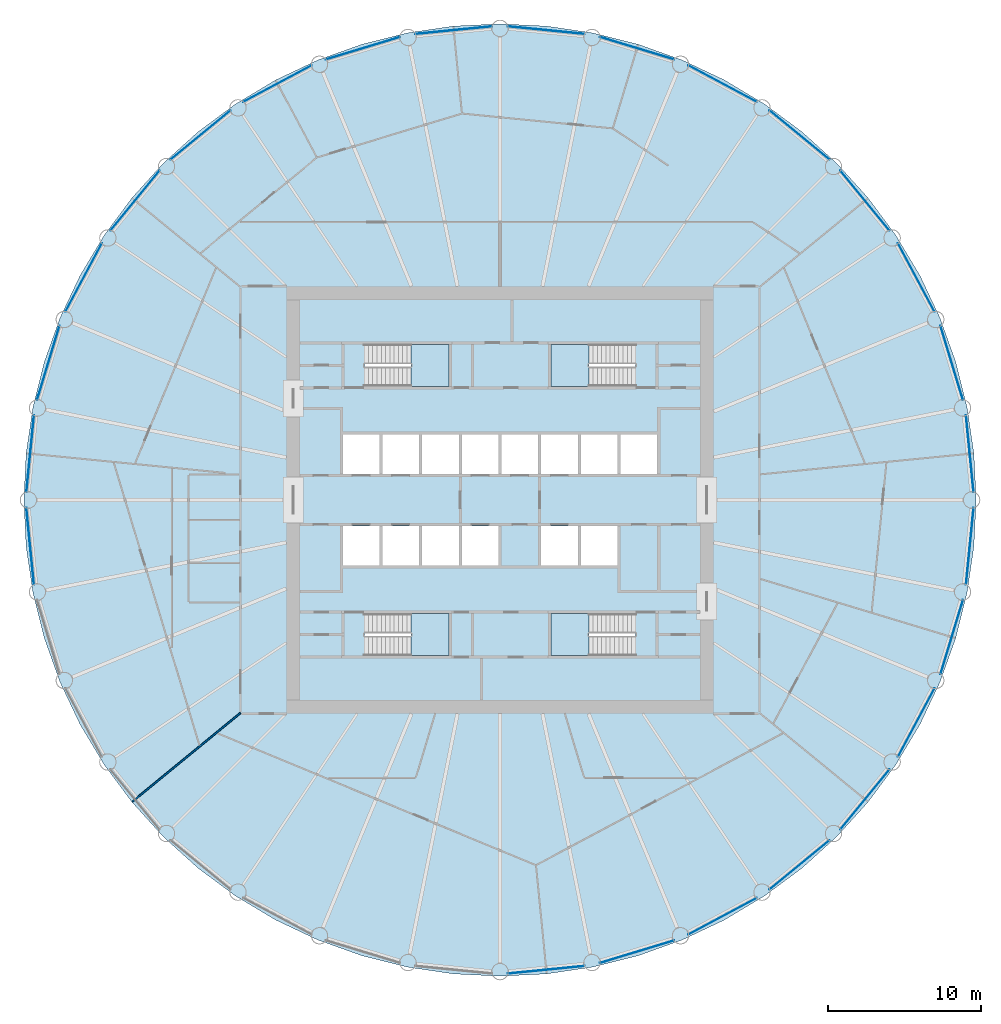
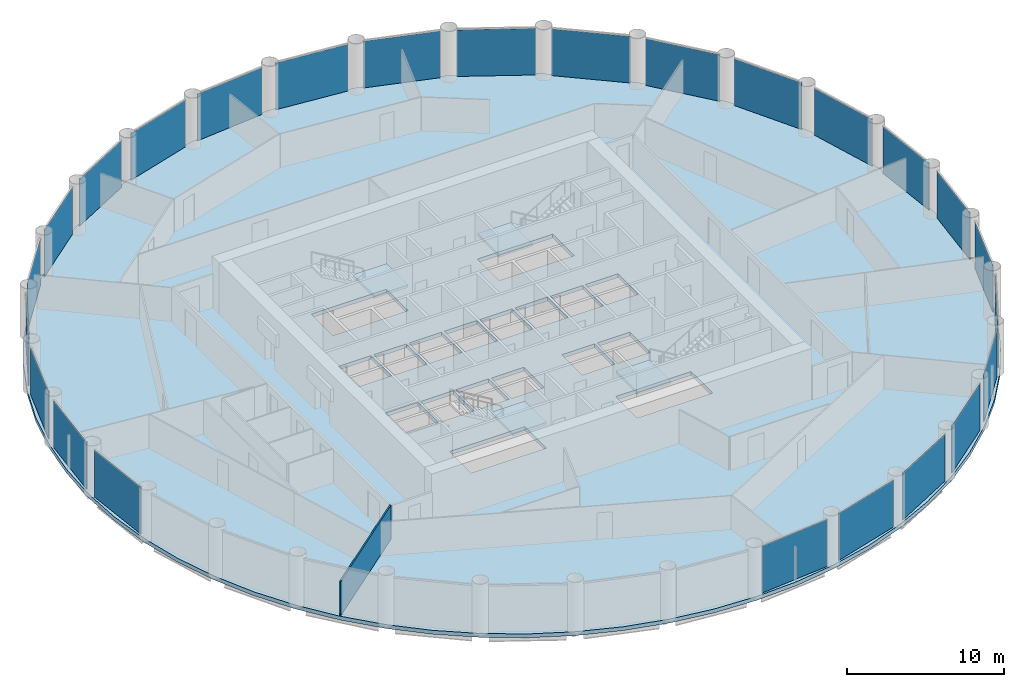
# One storey, part 3 of 9: 25 plates, 5 slabs, 1 wall, 29 elements without a shape of their own.
"""IFC4 building model written with IfcOpenShell, lengths in metres."""

from ifc_helpers import new_model, si_unit, direction, frame, frame_2d, origin, origin_2d, place, context, subcontext, project, spatial, polyline, rectangle, outline, extrude, material, layer, layer_set, type_object, element, aggregate, save


model = new_model("IFC4")

# Units and contexts
model_context = context("Model", 3, precision=1e-05, world=origin(), true_north=direction((0.0, 1.0)))
body_context = subcontext(model_context, "Body", "Model", "MODEL_VIEW")
ifc_project = project(units=[si_unit("LENGTHUNIT", "METRE"), si_unit("AREAUNIT", "SQUARE_METRE"), si_unit("VOLUMEUNIT", "CUBIC_METRE"), si_unit("PLANEANGLEUNIT", "RADIAN"), si_unit("MASSUNIT", "GRAM", prefix="KILO")], contexts=[model_context])

# Site, building, storey
site_placement = place(None, origin())
site = spatial("IfcSite", under=ifc_project, at=site_placement, CompositionType="ELEMENT")
building_placement = place(site_placement, origin())
building = spatial("IfcBuilding", under=site, at=building_placement, Name="Corvane Civic Tower", CompositionType="ELEMENT")
storey_placement = place(building_placement, frame((0.0, 0.0, 192.0)))
storey = spatial("IfcBuildingStorey", under=building, at=storey_placement, Name="L45", CompositionType="ELEMENT", Elevation=192.0)

# Slab
ifc_material_1 = material(Name="Concrete C40/50", Category="concrete")
ifc_layer_1 = layer(ifc_material_1, 0.300048828125)
ifc_layer_set_1 = layer_set([ifc_layer_1], Name="Concrete C40/50")
slab_type_1 = type_object("IfcSlabType", Name="FLOOR SLAB 300", PredefinedType="FLOOR", material=ifc_layer_set_1)
slab_1_placement = place(storey_placement, frame((0.0, 0.0, -0.300048828125)))
element("IfcSlab", 1, at=slab_1_placement, inside=storey, type_object=slab_type_1, Name="SLB-L45", PredefinedType="FLOOR", context=body_context, shape_type="SweptSolid", body=[
    extrude(outline(polyline([(0.0, 31.199951171875), (-3.05810546875, 31.0498046875), (-6.0869140625, 30.6005859375), (-9.056884765625, 29.8564453125), (-11.939697265625, 28.824951171875), (-14.70751953125, 27.515869140625), (-17.333740234375, 25.94189453125), (-19.79296875, 24.117919921875), (-22.061767578125, 22.061767578125), (-24.117919921875, 19.79296875), (-25.94189453125, 17.333740234375), (-27.515869140625, 14.70751953125), (-28.824951171875, 11.939697265625), (-29.8564453125, 9.056884765625), (-30.6005859375, 6.0869140625), (-31.0498046875, 3.05810546875), (-31.199951171875, 0.0), (-31.0498046875, -3.05810546875), (-30.6005859375, -6.0869140625), (-29.8564453125, -9.056884765625), (-28.824951171875, -11.939697265625), (-27.515869140625, -14.70751953125), (-25.94189453125, -17.333740234375), (-24.117919921875, -19.79296875), (-22.061767578125, -22.061767578125), (-19.79296875, -24.117919921875), (-17.333740234375, -25.94189453125), (-14.70751953125, -27.515869140625), (-11.939697265625, -28.824951171875), (-9.056884765625, -29.8564453125), (-6.0869140625, -30.6005859375), (-3.05810546875, -31.0498046875), (0.0, -31.199951171875), (3.05810546875, -31.0498046875), (6.0869140625, -30.6005859375), (9.056884765625, -29.8564453125), (11.939697265625, -28.824951171875), (14.70751953125, -27.515869140625), (17.333740234375, -25.94189453125), (19.79296875, -24.117919921875), (22.061767578125, -22.061767578125), (24.117919921875, -19.79296875), (25.94189453125, -17.333740234375), (27.515869140625, -14.70751953125), (28.824951171875, -11.939697265625), (29.8564453125, -9.056884765625), (30.6005859375, -6.0869140625), (31.0498046875, -3.05810546875), (31.199951171875, 0.0), (31.0498046875, 3.05810546875), (30.6005859375, 6.0869140625), (29.8564453125, 9.056884765625), (28.824951171875, 11.939697265625), (27.515869140625, 14.70751953125), (25.94189453125, 17.333740234375), (24.117919921875, 19.79296875), (22.061767578125, 22.061767578125), (19.79296875, 24.117919921875), (17.333740234375, 25.94189453125), (14.70751953125, 27.515869140625), (11.939697265625, 28.824951171875), (9.056884765625, 29.8564453125), (6.0869140625, 30.6005859375), (3.05810546875, 31.0498046875), (0.0, 31.199951171875)]), holes=[polyline([(-7.89990234375, 1.699951171875), (-10.300048828125, 1.699951171875), (-10.300048828125, 4.300048828125), (-7.89990234375, 4.300048828125), (-7.89990234375, 1.699951171875)]), polyline([(-7.699951171875, 4.300048828125), (-5.300048828125, 4.300048828125), (-5.300048828125, 1.699951171875), (-7.699951171875, 1.699951171875), (-7.699951171875, 4.300048828125)]), polyline([(-5.10009765625, 4.300048828125), (-2.699951171875, 4.300048828125), (-2.699951171875, 1.699951171875), (-5.10009765625, 1.699951171875), (-5.10009765625, 4.300048828125)]), polyline([(-0.10009765625, 4.300048828125), (-0.10009765625, 1.699951171875), (-2.5, 1.699951171875), (-2.5, 4.300048828125), (-0.10009765625, 4.300048828125)]), polyline([(2.5, 4.300048828125), (2.5, 1.699951171875), (0.10009765625, 1.699951171875), (0.10009765625, 4.300048828125), (2.5, 4.300048828125)]), polyline([(2.699951171875, 4.300048828125), (5.10009765625, 4.300048828125), (5.10009765625, 1.699951171875), (2.699951171875, 1.699951171875), (2.699951171875, 4.300048828125)]), polyline([(5.300048828125, 4.300048828125), (7.699951171875, 4.300048828125), (7.699951171875, 1.699951171875), (5.300048828125, 1.699951171875), (5.300048828125, 4.300048828125)]), polyline([(7.89990234375, 4.300048828125), (10.300048828125, 4.300048828125), (10.300048828125, 1.699951171875), (7.89990234375, 1.699951171875), (7.89990234375, 4.300048828125)]), polyline([(-7.89990234375, -1.699951171875), (-7.89990234375, -4.300048828125), (-10.300048828125, -4.300048828125), (-10.300048828125, -1.699951171875), (-7.89990234375, -1.699951171875)]), polyline([(-5.300048828125, -1.699951171875), (-5.300048828125, -4.300048828125), (-7.699951171875, -4.300048828125), (-7.699951171875, -1.699951171875), (-5.300048828125, -1.699951171875)]), polyline([(-2.699951171875, -1.699951171875), (-2.699951171875, -4.300048828125), (-5.10009765625, -4.300048828125), (-5.10009765625, -1.699951171875), (-2.699951171875, -1.699951171875)]), polyline([(-2.5, -4.300048828125), (-2.5, -1.699951171875), (-0.10009765625, -1.699951171875), (-0.10009765625, -4.300048828125), (-2.5, -4.300048828125)]), polyline([(2.699951171875, -1.699951171875), (5.10009765625, -1.699951171875), (5.10009765625, -4.300048828125), (2.699951171875, -4.300048828125), (2.699951171875, -1.699951171875)]), polyline([(7.699951171875, -1.699951171875), (7.699951171875, -4.300048828125), (5.300048828125, -4.300048828125), (5.300048828125, -1.699951171875), (7.699951171875, -1.699951171875)]), polyline([(8.889892578125, 10.199951171875), (8.889892578125, 7.449951171875), (3.35009765625, 7.449951171875), (3.35009765625, 10.199951171875), (8.889892578125, 10.199951171875)]), polyline([(-8.889892578125, 7.449951171875), (-8.889892578125, 10.199951171875), (-3.35009765625, 10.199951171875), (-3.35009765625, 7.449951171875), (-8.889892578125, 7.449951171875)]), polyline([(8.889892578125, -7.449951171875), (8.889892578125, -10.199951171875), (3.35009765625, -10.199951171875), (3.35009765625, -7.449951171875), (8.889892578125, -7.449951171875)]), polyline([(-8.889892578125, -10.199951171875), (-8.889892578125, -7.449951171875), (-3.35009765625, -7.449951171875), (-3.35009765625, -10.199951171875), (-8.889892578125, -10.199951171875)])]), origin(), (0.0, 0.0, 1.0), 0.300048828125),
])

# Stair, slab
ifc_material_2 = material(Name="Concrete C40/50", Category="concrete")
stair_type = type_object("IfcStairType", Name="ST-STAIR-HALFTURN", PredefinedType="HALF_TURN_STAIR", material=ifc_material_2)
stair_1_placement = place(storey_placement, origin())
stair_1 = element("IfcStair", 2, at=stair_1_placement, inside=storey, type_object=stair_type, Name="L45 Exit stair ST1", PredefinedType="HALF_TURN_STAIR")
ifc_material_3 = material(Name="Concrete C40/50", Category="concrete")
ifc_layer_2 = layer(ifc_material_3, 0.199951171875)
ifc_layer_set_2 = layer_set([ifc_layer_2], Name="Concrete C40/50")
slab_type_2 = type_object("IfcSlabType", Name="ST-LANDING-RC", PredefinedType="LANDING", material=ifc_layer_set_2)
slab_2_placement = place(storey_placement, frame((0.0, 0.0, 1.800048828125)))
slab_2 = element("IfcSlab", 3, at=slab_2_placement, type_object=slab_type_2, Name="ST1 landing 1", PredefinedType="LANDING", context=body_context, shape_type="SweptSolid", body=[
    extrude(outline(polyline([(5.820068359375, 10.199951171875), (3.35009765625, 10.199951171875), (3.35009765625, 7.449951171875), (5.820068359375, 7.449951171875), (5.820068359375, 10.199951171875)])), origin(), (0.0, 0.0, 1.0), 0.199951171875),
])
aggregate(stair_1, [slab_2])

stair_2_placement = place(storey_placement, origin())
stair_2 = element("IfcStair", 4, at=stair_2_placement, inside=storey, type_object=stair_type, Name="L45 Exit stair ST2", PredefinedType="HALF_TURN_STAIR")
slab_3_placement = place(storey_placement, frame((0.0, 0.0, 1.800048828125)))
slab_3 = element("IfcSlab", 5, at=slab_3_placement, type_object=slab_type_2, Name="ST2 landing 1", PredefinedType="LANDING", context=body_context, shape_type="SweptSolid", body=[
    extrude(outline(polyline([(5.820068359375, -7.449951171875), (3.35009765625, -7.449951171875), (3.35009765625, -10.199951171875), (5.820068359375, -10.199951171875), (5.820068359375, -7.449951171875)])), origin(), (0.0, 0.0, 1.0), 0.199951171875),
])
aggregate(stair_2, [slab_3])

stair_3_placement = place(storey_placement, origin())
stair_3 = element("IfcStair", 6, at=stair_3_placement, inside=storey, type_object=stair_type, Name="L45 Exit stair ST3", PredefinedType="HALF_TURN_STAIR")
slab_4_placement = place(storey_placement, frame((0.0, 0.0, 1.800048828125)))
slab_4 = element("IfcSlab", 7, at=slab_4_placement, type_object=slab_type_2, Name="ST3 landing 1", PredefinedType="LANDING", context=body_context, shape_type="SweptSolid", body=[
    extrude(outline(polyline([(-5.820068359375, -10.199951171875), (-3.35009765625, -10.199951171875), (-3.35009765625, -7.449951171875), (-5.820068359375, -7.449951171875), (-5.820068359375, -10.199951171875)])), origin(), (0.0, 0.0, 1.0), 0.199951171875),
])
aggregate(stair_3, [slab_4])

stair_4_placement = place(storey_placement, origin())
stair_4 = element("IfcStair", 8, at=stair_4_placement, inside=storey, type_object=stair_type, Name="L45 Exit stair ST4", PredefinedType="HALF_TURN_STAIR")
slab_5_placement = place(storey_placement, frame((0.0, 0.0, 1.800048828125)))
slab_5 = element("IfcSlab", 9, at=slab_5_placement, type_object=slab_type_2, Name="ST4 landing 1", PredefinedType="LANDING", context=body_context, shape_type="SweptSolid", body=[
    extrude(outline(polyline([(-5.820068359375, 7.449951171875), (-3.35009765625, 7.449951171875), (-3.35009765625, 10.199951171875), (-5.820068359375, 10.199951171875), (-5.820068359375, 7.449951171875)])), origin(), (0.0, 0.0, 1.0), 0.199951171875),
])
aggregate(stair_4, [slab_5])

# Curtain wall, plate
ifc_material_4 = material(Name="Anodised aluminium bronze", Category="aluminium")
curtain_wall_type = type_object("IfcCurtainWallType", Name="TOWER CW-T2 STICK CURTAIN WALL", PredefinedType="NOTDEFINED", material=ifc_material_4)
curtain_wall_1_placement = place(storey_placement, origin())
curtain_wall_1 = element("IfcCurtainWall", 10, at=curtain_wall_1_placement, inside=storey, type_object=curtain_wall_type, Name="Curtain wall CW-T2 L45 bay 01", PredefinedType="NOTDEFINED")
ifc_material_5 = material(Name="Tinted glass", Category="glass")
ifc_layer_3 = layer(ifc_material_5, 0.031982421875)
ifc_layer_set_3 = layer_set([ifc_layer_3], Name="Tinted glass")
plate_type = type_object("IfcPlateType", Name="TOWER CW-T2 PANEL IGU32", PredefinedType="CURTAIN_PANEL", material=ifc_layer_set_3)
plate_1_placement = place(storey_placement, frame((3.03173828125, 30.781494140625, 0.0), z_axis=(0.0, 0.0, 1.0), x_axis=(0.995185244531, -0.098011882274, 0.0)))
plate_1 = element("IfcPlate", 11, at=plate_1_placement, type_object=plate_type, Name="Glass panel CW-T2 L45 01.1", PredefinedType="CURTAIN_PANEL", context=body_context, shape_type="SweptSolid", body=[
    extrude(rectangle(XDim=5.07763671875, YDim=0.031982421875, at=origin_2d()), origin(), (0.0, 0.0, 1.0), 3.6298828125),
])
aggregate(curtain_wall_1, [plate_1])

curtain_wall_2_placement = place(storey_placement, origin())
curtain_wall_2 = element("IfcCurtainWall", 12, at=curtain_wall_2_placement, inside=storey, type_object=curtain_wall_type, Name="Curtain wall CW-T2 L45 bay 02", PredefinedType="NOTDEFINED")
plate_2_placement = place(storey_placement, frame((8.978515625, 29.5986328125, 0.0), z_axis=(0.0, 0.0, 1.0), x_axis=(0.956931677007, -0.290313219714, 0.0)))
plate_2 = element("IfcPlate", 13, at=plate_2_placement, type_object=plate_type, Name="Glass panel CW-T2 L45 02.1", PredefinedType="CURTAIN_PANEL", context=body_context, shape_type="SweptSolid", body=[
    extrude(rectangle(XDim=5.077392578125, YDim=0.031982421875, at=origin_2d()), origin(), (0.0, 0.0, 1.0), 3.6298828125),
])
aggregate(curtain_wall_2, [plate_2])

curtain_wall_3_placement = place(storey_placement, origin())
curtain_wall_3 = element("IfcCurtainWall", 14, at=curtain_wall_3_placement, inside=storey, type_object=curtain_wall_type, Name="Curtain wall CW-T2 L45 bay 03", PredefinedType="NOTDEFINED")
plate_3_placement = place(storey_placement, frame((14.58056640625, 27.278076171875, 0.0), z_axis=(0.0, 0.0, 1.0), x_axis=(0.881922190434, -0.471395004238, 0.0)))
plate_3 = element("IfcPlate", 15, at=plate_3_placement, type_object=plate_type, Name="Glass panel CW-T2 L45 03.1", PredefinedType="CURTAIN_PANEL", context=body_context, shape_type="SweptSolid", body=[
    extrude(rectangle(XDim=5.077392578125, YDim=0.031982421875, at=origin_2d()), origin(), (0.0, 0.0, 1.0), 3.6298828125),
])
aggregate(curtain_wall_3, [plate_3])

curtain_wall_4_placement = place(storey_placement, origin())
curtain_wall_4 = element("IfcCurtainWall", 16, at=curtain_wall_4_placement, inside=storey, type_object=curtain_wall_type, Name="Curtain wall CW-T2 L45 bay 04", PredefinedType="NOTDEFINED")
plate_4_placement = place(storey_placement, frame((19.6220703125, 23.909423828125, 0.0), z_axis=(0.0, 0.0, 1.0), x_axis=(0.773004844196, -0.634400118891, 0.0)))
plate_4 = element("IfcPlate", 17, at=plate_4_placement, type_object=plate_type, Name="Glass panel CW-T2 L45 04.1", PredefinedType="CURTAIN_PANEL", context=body_context, shape_type="SweptSolid", body=[
    extrude(rectangle(XDim=5.0771484375, YDim=0.031982421875, at=origin_2d()), origin(), (0.0, 0.0, 1.0), 3.6298828125),
])
aggregate(curtain_wall_4, [plate_4])

curtain_wall_5_placement = place(storey_placement, origin())
curtain_wall_5 = element("IfcCurtainWall", 18, at=curtain_wall_5_placement, inside=storey, type_object=curtain_wall_type, Name="Curtain wall CW-T2 L45 bay 05", PredefinedType="NOTDEFINED")
plate_5_placement = place(storey_placement, frame((23.909423828125, 19.6220703125, 0.0), z_axis=(0.0, 0.0, 1.0), x_axis=(0.634400118891, -0.773004844196, 0.0)))
plate_5 = element("IfcPlate", 19, at=plate_5_placement, type_object=plate_type, Name="Glass panel CW-T2 L45 05.1", PredefinedType="CURTAIN_PANEL", context=body_context, shape_type="SweptSolid", body=[
    extrude(rectangle(XDim=5.0771484375, YDim=0.031982421875, at=origin_2d()), origin(), (0.0, 0.0, 1.0), 3.6298828125),
])
aggregate(curtain_wall_5, [plate_5])

curtain_wall_6_placement = place(storey_placement, origin())
curtain_wall_6 = element("IfcCurtainWall", 20, at=curtain_wall_6_placement, inside=storey, type_object=curtain_wall_type, Name="Curtain wall CW-T2 L45 bay 06", PredefinedType="NOTDEFINED")
plate_6_placement = place(storey_placement, frame((27.278076171875, 14.58056640625, 0.0), z_axis=(0.0, 0.0, 1.0), x_axis=(0.471395004238, -0.881922190434, 0.0)))
plate_6 = element("IfcPlate", 21, at=plate_6_placement, type_object=plate_type, Name="Glass panel CW-T2 L45 06.1", PredefinedType="CURTAIN_PANEL", context=body_context, shape_type="SweptSolid", body=[
    extrude(rectangle(XDim=5.077392578125, YDim=0.031982421875, at=origin_2d()), origin(), (0.0, 0.0, 1.0), 3.6298828125),
])
aggregate(curtain_wall_6, [plate_6])

curtain_wall_7_placement = place(storey_placement, origin())
curtain_wall_7 = element("IfcCurtainWall", 22, at=curtain_wall_7_placement, inside=storey, type_object=curtain_wall_type, Name="Curtain wall CW-T2 L45 bay 07", PredefinedType="NOTDEFINED")
plate_7_placement = place(storey_placement, frame((29.5986328125, 8.978515625, 0.0), z_axis=(0.0, 0.0, 1.0), x_axis=(0.290313219714, -0.956931677007, 0.0)))
plate_7 = element("IfcPlate", 23, at=plate_7_placement, type_object=plate_type, Name="Glass panel CW-T2 L45 07.1", PredefinedType="CURTAIN_PANEL", context=body_context, shape_type="SweptSolid", body=[
    extrude(rectangle(XDim=5.077392578125, YDim=0.031982421875, at=origin_2d()), origin(), (0.0, 0.0, 1.0), 3.6298828125),
])
aggregate(curtain_wall_7, [plate_7])

curtain_wall_8_placement = place(storey_placement, origin())
curtain_wall_8 = element("IfcCurtainWall", 24, at=curtain_wall_8_placement, inside=storey, type_object=curtain_wall_type, Name="Curtain wall CW-T2 L45 bay 08", PredefinedType="NOTDEFINED")
plate_8_placement = place(storey_placement, frame((30.781494140625, 3.03173828125, 0.0), z_axis=(0.0, 0.0, 1.0), x_axis=(0.098011882274, -0.995185244531, 0.0)))
plate_8 = element("IfcPlate", 25, at=plate_8_placement, type_object=plate_type, Name="Glass panel CW-T2 L45 08.1", PredefinedType="CURTAIN_PANEL", context=body_context, shape_type="SweptSolid", body=[
    extrude(rectangle(XDim=5.07763671875, YDim=0.031982421875, at=origin_2d()), origin(), (0.0, 0.0, 1.0), 3.6298828125),
])
aggregate(curtain_wall_8, [plate_8])

curtain_wall_9_placement = place(storey_placement, origin())
curtain_wall_9 = element("IfcCurtainWall", 26, at=curtain_wall_9_placement, inside=storey, type_object=curtain_wall_type, Name="Curtain wall CW-T2 L45 bay 09", PredefinedType="NOTDEFINED")
plate_9_placement = place(storey_placement, frame((30.781494140625, -3.03173828125, 0.0), z_axis=(0.0, 0.0, 1.0), x_axis=(-0.098011882274, -0.995185244531, 0.0)))
plate_9 = element("IfcPlate", 27, at=plate_9_placement, type_object=plate_type, Name="Glass panel CW-T2 L45 09.1", PredefinedType="CURTAIN_PANEL", context=body_context, shape_type="SweptSolid", body=[
    extrude(rectangle(XDim=5.07763671875, YDim=0.031982421875, at=origin_2d()), origin(), (0.0, 0.0, 1.0), 3.6298828125),
])
aggregate(curtain_wall_9, [plate_9])

curtain_wall_10_placement = place(storey_placement, origin())
curtain_wall_10 = element("IfcCurtainWall", 28, at=curtain_wall_10_placement, inside=storey, type_object=curtain_wall_type, Name="Curtain wall CW-T2 L45 bay 10", PredefinedType="NOTDEFINED")
plate_10_placement = place(storey_placement, frame((29.5986328125, -8.978515625, 0.0), z_axis=(0.0, 0.0, 1.0), x_axis=(-0.290313219714, -0.956931677007, 0.0)))
plate_10 = element("IfcPlate", 29, at=plate_10_placement, type_object=plate_type, Name="Glass panel CW-T2 L45 10.1", PredefinedType="CURTAIN_PANEL", context=body_context, shape_type="SweptSolid", body=[
    extrude(rectangle(XDim=5.077392578125, YDim=0.031982421875, at=origin_2d()), origin(), (0.0, 0.0, 1.0), 3.6298828125),
])
aggregate(curtain_wall_10, [plate_10])

curtain_wall_11_placement = place(storey_placement, origin())
curtain_wall_11 = element("IfcCurtainWall", 30, at=curtain_wall_11_placement, inside=storey, type_object=curtain_wall_type, Name="Curtain wall CW-T2 L45 bay 11", PredefinedType="NOTDEFINED")
plate_11_placement = place(storey_placement, frame((27.278076171875, -14.58056640625, 0.0), z_axis=(0.0, 0.0, 1.0), x_axis=(-0.471395004238, -0.881922190434, 0.0)))
plate_11 = element("IfcPlate", 31, at=plate_11_placement, type_object=plate_type, Name="Glass panel CW-T2 L45 11.1", PredefinedType="CURTAIN_PANEL", context=body_context, shape_type="SweptSolid", body=[
    extrude(rectangle(XDim=5.077392578125, YDim=0.031982421875, at=origin_2d()), origin(), (0.0, 0.0, 1.0), 3.6298828125),
])
aggregate(curtain_wall_11, [plate_11])

curtain_wall_12_placement = place(storey_placement, origin())
curtain_wall_12 = element("IfcCurtainWall", 32, at=curtain_wall_12_placement, inside=storey, type_object=curtain_wall_type, Name="Curtain wall CW-T2 L45 bay 12", PredefinedType="NOTDEFINED")
plate_12_placement = place(storey_placement, frame((23.909423828125, -19.6220703125, 0.0), z_axis=(0.0, 0.0, 1.0), x_axis=(-0.634400118891, -0.773004844196, 0.0)))
plate_12 = element("IfcPlate", 33, at=plate_12_placement, type_object=plate_type, Name="Glass panel CW-T2 L45 12.1", PredefinedType="CURTAIN_PANEL", context=body_context, shape_type="SweptSolid", body=[
    extrude(rectangle(XDim=5.0771484375, YDim=0.031982421875, at=origin_2d()), origin(), (0.0, 0.0, 1.0), 3.6298828125),
])
aggregate(curtain_wall_12, [plate_12])

curtain_wall_13_placement = place(storey_placement, origin())
curtain_wall_13 = element("IfcCurtainWall", 34, at=curtain_wall_13_placement, inside=storey, type_object=curtain_wall_type, Name="Curtain wall CW-T2 L45 bay 13", PredefinedType="NOTDEFINED")
plate_13_placement = place(storey_placement, frame((19.6220703125, -23.909423828125, 0.0), z_axis=(0.0, 0.0, 1.0), x_axis=(-0.773004844196, -0.634400118891, 0.0)))
plate_13 = element("IfcPlate", 35, at=plate_13_placement, type_object=plate_type, Name="Glass panel CW-T2 L45 13.1", PredefinedType="CURTAIN_PANEL", context=body_context, shape_type="SweptSolid", body=[
    extrude(rectangle(XDim=5.0771484375, YDim=0.031982421875, at=origin_2d()), origin(), (0.0, 0.0, 1.0), 3.6298828125),
])
aggregate(curtain_wall_13, [plate_13])

curtain_wall_14_placement = place(storey_placement, origin())
curtain_wall_14 = element("IfcCurtainWall", 36, at=curtain_wall_14_placement, inside=storey, type_object=curtain_wall_type, Name="Curtain wall CW-T2 L45 bay 14", PredefinedType="NOTDEFINED")
plate_14_placement = place(storey_placement, frame((14.58056640625, -27.278076171875, 0.0), z_axis=(0.0, 0.0, 1.0), x_axis=(-0.881922190434, -0.471395004238, 0.0)))
plate_14 = element("IfcPlate", 37, at=plate_14_placement, type_object=plate_type, Name="Glass panel CW-T2 L45 14.1", PredefinedType="CURTAIN_PANEL", context=body_context, shape_type="SweptSolid", body=[
    extrude(rectangle(XDim=5.077392578125, YDim=0.031982421875, at=origin_2d()), origin(), (0.0, 0.0, 1.0), 3.6298828125),
])
aggregate(curtain_wall_14, [plate_14])

curtain_wall_15_placement = place(storey_placement, origin())
curtain_wall_15 = element("IfcCurtainWall", 38, at=curtain_wall_15_placement, inside=storey, type_object=curtain_wall_type, Name="Curtain wall CW-T2 L45 bay 15", PredefinedType="NOTDEFINED")
plate_15_placement = place(storey_placement, frame((8.978515625, -29.5986328125, 0.0), z_axis=(0.0, 0.0, 1.0), x_axis=(-0.956931677007, -0.290313219714, 0.0)))
plate_15 = element("IfcPlate", 39, at=plate_15_placement, type_object=plate_type, Name="Glass panel CW-T2 L45 15.1", PredefinedType="CURTAIN_PANEL", context=body_context, shape_type="SweptSolid", body=[
    extrude(rectangle(XDim=5.077392578125, YDim=0.031982421875, at=origin_2d()), origin(), (0.0, 0.0, 1.0), 3.6298828125),
])
aggregate(curtain_wall_15, [plate_15])

curtain_wall_16_placement = place(storey_placement, origin())
curtain_wall_16 = element("IfcCurtainWall", 40, at=curtain_wall_16_placement, inside=storey, type_object=curtain_wall_type, Name="Curtain wall CW-T2 L45 bay 16", PredefinedType="NOTDEFINED")
plate_16_placement = place(storey_placement, frame((3.03173828125, -30.781494140625, 0.0), z_axis=(0.0, 0.0, 1.0), x_axis=(-0.995185244531, -0.098011882274, 0.0)))
plate_16 = element("IfcPlate", 41, at=plate_16_placement, type_object=plate_type, Name="Glass panel CW-T2 L45 16.1", PredefinedType="CURTAIN_PANEL", context=body_context, shape_type="SweptSolid", body=[
    extrude(rectangle(XDim=5.07763671875, YDim=0.031982421875, at=origin_2d()), origin(), (0.0, 0.0, 1.0), 3.6298828125),
])
aggregate(curtain_wall_16, [plate_16])

curtain_wall_17_placement = place(storey_placement, origin())
curtain_wall_17 = element("IfcCurtainWall", 42, at=curtain_wall_17_placement, inside=storey, type_object=curtain_wall_type, Name="Curtain wall CW-T2 L45 bay 24", PredefinedType="NOTDEFINED")
plate_17_placement = place(storey_placement, frame((-30.781494140625, -3.03173828125, 0.0), z_axis=(0.0, 0.0, 1.0), x_axis=(-0.098011882274, 0.995185244531, 0.0)))
plate_17 = element("IfcPlate", 43, at=plate_17_placement, type_object=plate_type, Name="Glass panel CW-T2 L45 24.1", PredefinedType="CURTAIN_PANEL", context=body_context, shape_type="SweptSolid", body=[
    extrude(rectangle(XDim=5.07763671875, YDim=0.031982421875, at=origin_2d()), origin(), (0.0, 0.0, 1.0), 3.6298828125),
])
aggregate(curtain_wall_17, [plate_17])

curtain_wall_18_placement = place(storey_placement, origin())
curtain_wall_18 = element("IfcCurtainWall", 44, at=curtain_wall_18_placement, inside=storey, type_object=curtain_wall_type, Name="Curtain wall CW-T2 L45 bay 25", PredefinedType="NOTDEFINED")
plate_18_placement = place(storey_placement, frame((-30.781494140625, 3.03173828125, 0.0), z_axis=(0.0, 0.0, 1.0), x_axis=(0.098011882274, 0.995185244531, 0.0)))
plate_18 = element("IfcPlate", 45, at=plate_18_placement, type_object=plate_type, Name="Glass panel CW-T2 L45 25.1", PredefinedType="CURTAIN_PANEL", context=body_context, shape_type="SweptSolid", body=[
    extrude(rectangle(XDim=5.07763671875, YDim=0.031982421875, at=origin_2d()), origin(), (0.0, 0.0, 1.0), 3.6298828125),
])
aggregate(curtain_wall_18, [plate_18])

curtain_wall_19_placement = place(storey_placement, origin())
curtain_wall_19 = element("IfcCurtainWall", 46, at=curtain_wall_19_placement, inside=storey, type_object=curtain_wall_type, Name="Curtain wall CW-T2 L45 bay 26", PredefinedType="NOTDEFINED")
plate_19_placement = place(storey_placement, frame((-29.5986328125, 8.978515625, 0.0), z_axis=(0.0, 0.0, 1.0), x_axis=(0.290313219714, 0.956931677007, 0.0)))
plate_19 = element("IfcPlate", 47, at=plate_19_placement, type_object=plate_type, Name="Glass panel CW-T2 L45 26.1", PredefinedType="CURTAIN_PANEL", context=body_context, shape_type="SweptSolid", body=[
    extrude(rectangle(XDim=5.077392578125, YDim=0.031982421875, at=origin_2d()), origin(), (0.0, 0.0, 1.0), 3.6298828125),
])
aggregate(curtain_wall_19, [plate_19])

curtain_wall_20_placement = place(storey_placement, origin())
curtain_wall_20 = element("IfcCurtainWall", 48, at=curtain_wall_20_placement, inside=storey, type_object=curtain_wall_type, Name="Curtain wall CW-T2 L45 bay 27", PredefinedType="NOTDEFINED")
plate_20_placement = place(storey_placement, frame((-27.278076171875, 14.58056640625, 0.0), z_axis=(0.0, 0.0, 1.0), x_axis=(0.471395004238, 0.881922190434, 0.0)))
plate_20 = element("IfcPlate", 49, at=plate_20_placement, type_object=plate_type, Name="Glass panel CW-T2 L45 27.1", PredefinedType="CURTAIN_PANEL", context=body_context, shape_type="SweptSolid", body=[
    extrude(rectangle(XDim=5.077392578125, YDim=0.031982421875, at=origin_2d()), origin(), (0.0, 0.0, 1.0), 3.6298828125),
])
aggregate(curtain_wall_20, [plate_20])

curtain_wall_21_placement = place(storey_placement, origin())
curtain_wall_21 = element("IfcCurtainWall", 50, at=curtain_wall_21_placement, inside=storey, type_object=curtain_wall_type, Name="Curtain wall CW-T2 L45 bay 28", PredefinedType="NOTDEFINED")
plate_21_placement = place(storey_placement, frame((-23.909423828125, 19.6220703125, 0.0), z_axis=(0.0, 0.0, 1.0), x_axis=(0.634400118891, 0.773004844196, 0.0)))
plate_21 = element("IfcPlate", 51, at=plate_21_placement, type_object=plate_type, Name="Glass panel CW-T2 L45 28.1", PredefinedType="CURTAIN_PANEL", context=body_context, shape_type="SweptSolid", body=[
    extrude(rectangle(XDim=5.0771484375, YDim=0.031982421875, at=origin_2d()), origin(), (0.0, 0.0, 1.0), 3.6298828125),
])
aggregate(curtain_wall_21, [plate_21])

curtain_wall_22_placement = place(storey_placement, origin())
curtain_wall_22 = element("IfcCurtainWall", 52, at=curtain_wall_22_placement, inside=storey, type_object=curtain_wall_type, Name="Curtain wall CW-T2 L45 bay 29", PredefinedType="NOTDEFINED")
plate_22_placement = place(storey_placement, frame((-19.6220703125, 23.909423828125, 0.0), z_axis=(0.0, 0.0, 1.0), x_axis=(0.773004844196, 0.634400118891, 0.0)))
plate_22 = element("IfcPlate", 53, at=plate_22_placement, type_object=plate_type, Name="Glass panel CW-T2 L45 29.1", PredefinedType="CURTAIN_PANEL", context=body_context, shape_type="SweptSolid", body=[
    extrude(rectangle(XDim=5.0771484375, YDim=0.031982421875, at=origin_2d()), origin(), (0.0, 0.0, 1.0), 3.6298828125),
])
aggregate(curtain_wall_22, [plate_22])

curtain_wall_23_placement = place(storey_placement, origin())
curtain_wall_23 = element("IfcCurtainWall", 54, at=curtain_wall_23_placement, inside=storey, type_object=curtain_wall_type, Name="Curtain wall CW-T2 L45 bay 30", PredefinedType="NOTDEFINED")
plate_23_placement = place(storey_placement, frame((-14.58056640625, 27.278076171875, 0.0), z_axis=(0.0, 0.0, 1.0), x_axis=(0.881922190434, 0.471395004238, 0.0)))
plate_23 = element("IfcPlate", 55, at=plate_23_placement, type_object=plate_type, Name="Glass panel CW-T2 L45 30.1", PredefinedType="CURTAIN_PANEL", context=body_context, shape_type="SweptSolid", body=[
    extrude(rectangle(XDim=5.077392578125, YDim=0.031982421875, at=origin_2d()), origin(), (0.0, 0.0, 1.0), 3.6298828125),
])
aggregate(curtain_wall_23, [plate_23])

curtain_wall_24_placement = place(storey_placement, origin())
curtain_wall_24 = element("IfcCurtainWall", 56, at=curtain_wall_24_placement, inside=storey, type_object=curtain_wall_type, Name="Curtain wall CW-T2 L45 bay 31", PredefinedType="NOTDEFINED")
plate_24_placement = place(storey_placement, frame((-8.978515625, 29.5986328125, 0.0), z_axis=(0.0, 0.0, 1.0), x_axis=(0.956931677007, 0.290313219714, 0.0)))
plate_24 = element("IfcPlate", 57, at=plate_24_placement, type_object=plate_type, Name="Glass panel CW-T2 L45 31.1", PredefinedType="CURTAIN_PANEL", context=body_context, shape_type="SweptSolid", body=[
    extrude(rectangle(XDim=5.077392578125, YDim=0.031982421875, at=origin_2d()), origin(), (0.0, 0.0, 1.0), 3.6298828125),
])
aggregate(curtain_wall_24, [plate_24])

curtain_wall_25_placement = place(storey_placement, origin())
curtain_wall_25 = element("IfcCurtainWall", 58, at=curtain_wall_25_placement, inside=storey, type_object=curtain_wall_type, Name="Curtain wall CW-T2 L45 bay 32", PredefinedType="NOTDEFINED")
plate_25_placement = place(storey_placement, frame((-3.03173828125, 30.781494140625, 0.0), z_axis=(0.0, 0.0, 1.0), x_axis=(0.995185244531, 0.098011882274, 0.0)))
plate_25 = element("IfcPlate", 59, at=plate_25_placement, type_object=plate_type, Name="Glass panel CW-T2 L45 32.1", PredefinedType="CURTAIN_PANEL", context=body_context, shape_type="SweptSolid", body=[
    extrude(rectangle(XDim=5.07763671875, YDim=0.031982421875, at=origin_2d()), origin(), (0.0, 0.0, 1.0), 3.6298828125),
])
aggregate(curtain_wall_25, [plate_25])

# Wall
ifc_material_6 = material(Name="Plasterboard")
ifc_layer_4 = layer(ifc_material_6, 0.10009765625)
ifc_layer_set_4 = layer_set([ifc_layer_4], Name="Plasterboard")
wall_type = type_object("IfcWallType", Name="Partition 100 plasterboard on studs", PredefinedType="PARTITIONING", material=ifc_layer_set_4)
wall_placement = place(storey_placement, frame((-24.079345703125, -19.761474609375, 0.0), z_axis=(0.0, 0.0, 1.0), x_axis=(0.773006154143, 0.634398522742, 0.0)))
element("IfcWall", 60, at=wall_placement, inside=storey, type_object=wall_type, Name="Partition L45.004", PredefinedType="PARTITIONING", context=body_context, shape_type="SweptSolid", body=[
    extrude(rectangle(XDim=9.134521484375, YDim=0.10009765625, at=frame_2d((4.5673828125, 0.0))), origin(), (0.0, 0.0, 1.0), 2.64990234375),
])

save(model, "model.ifc")
